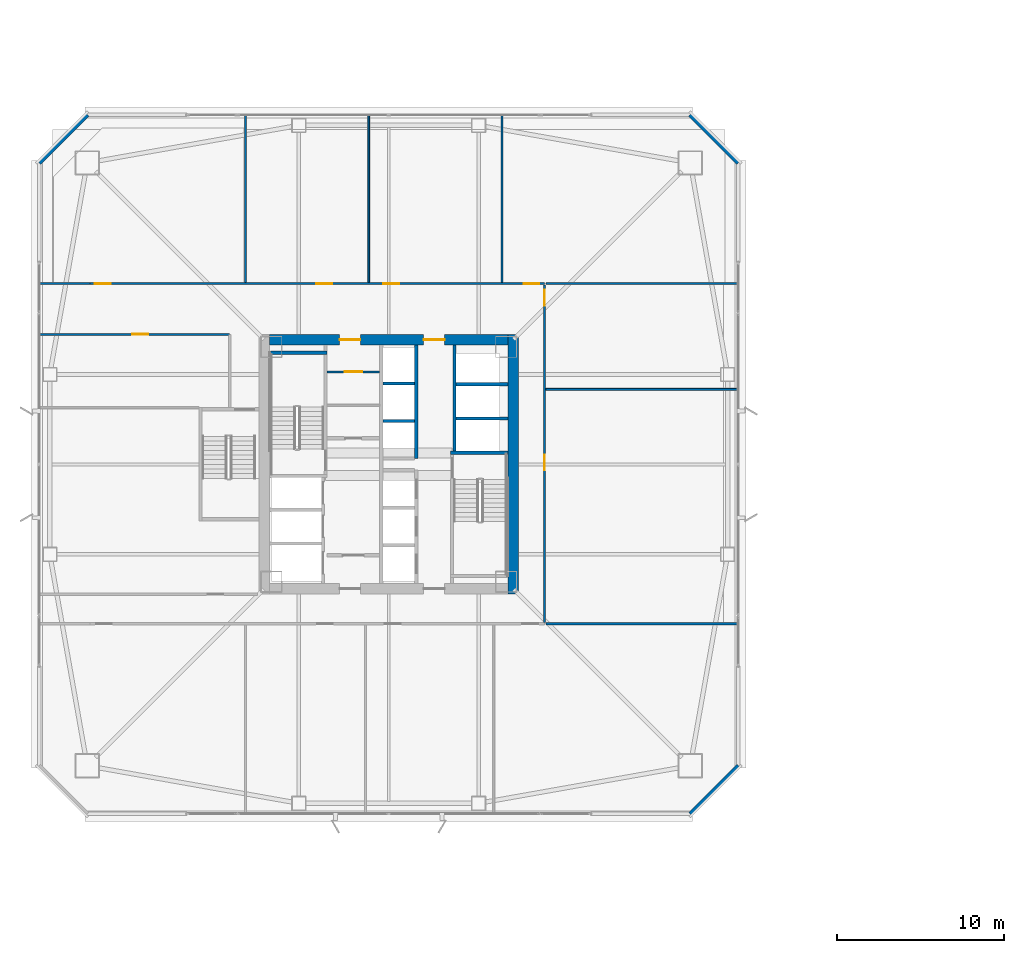
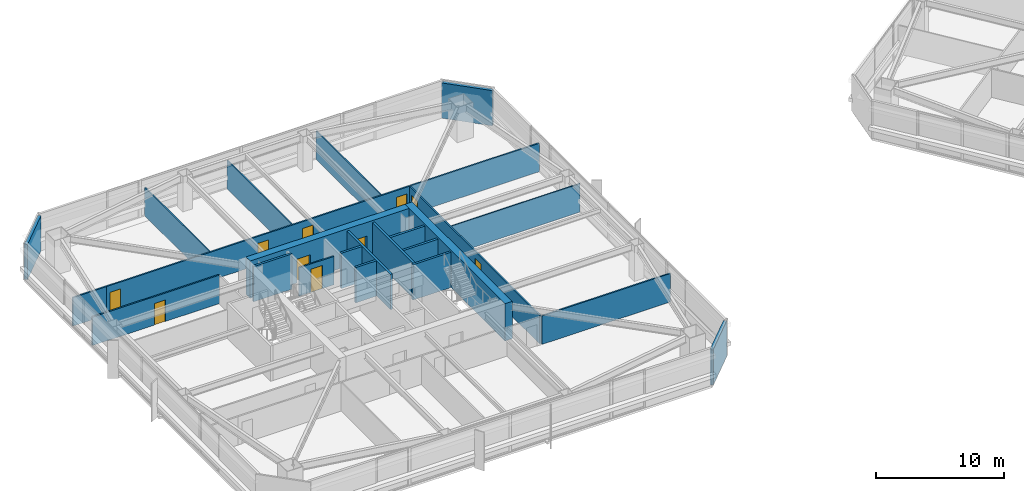
# One storey, part 37 of 49: 24 walls, 10 doors, 10 openings.
"""IFC4 building model written with IfcOpenShell, lengths in metres."""

from ifc_helpers import new_model, si_unit, direction, frame, frame_2d, origin, place, context, subcontext, project, spatial, rectangle, extrude, material, layer, layer_set, type_object, element, fill, save


model = new_model("IFC4")

# Units and contexts
model_context = context("Model", 3, precision=1e-05, world=origin(), true_north=direction((0.0, 1.0)))
body_context = subcontext(model_context, "Body", "Model", "MODEL_VIEW")
ifc_project = project(units=[si_unit("LENGTHUNIT", "METRE"), si_unit("AREAUNIT", "SQUARE_METRE"), si_unit("VOLUMEUNIT", "CUBIC_METRE"), si_unit("PLANEANGLEUNIT", "RADIAN"), si_unit("MASSUNIT", "GRAM", prefix="KILO")], contexts=[model_context])

# Site, building, storey
site_placement = place(None, origin())
site = spatial("IfcSite", under=ifc_project, at=site_placement, CompositionType="ELEMENT")
building_placement = place(site_placement, origin())
building = spatial("IfcBuilding", under=site, at=building_placement, Name="Tashvorn Skyway Center", CompositionType="ELEMENT")
storey_placement = place(building_placement, frame((0.0, 0.0, 70.75)))
storey = spatial("IfcBuildingStorey", under=building, at=storey_placement, Name="L18", CompositionType="ELEMENT", Elevation=70.75)

# Wall
ifc_material_1 = material(Name="Concrete C60/75", Category="concrete")
ifc_layer_1 = layer(ifc_material_1, 0.64990234375)
ifc_layer_set_1 = layer_set([ifc_layer_1], Name="Concrete C60/75")
wall_type_1 = type_object("IfcWallType", Name="WALL-CORE-650", PredefinedType="SHEAR", material=ifc_layer_set_1)
wall_1_placement = place(storey_placement, frame((49.47509765625, 39.800048828125, 0.0), z_axis=(0.0, 0.0, 1.0), x_axis=(0.0, -1.0, 0.0)))
element("IfcWall", 1, at=wall_1_placement, inside=storey, type_object=wall_type_1, Name="Tower 1 L18 East Core Shear Wall", PredefinedType="SHEAR", context=body_context, shape_type="SweptSolid", body=[
    extrude(rectangle(XDim=15.60009765625, YDim=0.64990234375, at=frame_2d((7.800048828125, 0.0))), origin(), (0.0, 0.0, 1.0), 3.550048828125),
])

# Wall, openings, doors
wall_2_placement = place(storey_placement, frame((34.85009765625, 39.47509765625, 0.0), z_axis=(0.0, 0.0, 1.0), x_axis=(1.0, 0.0, 0.0)))
wall_2 = element("IfcWall", 2, at=wall_2_placement, inside=storey, type_object=wall_type_1, Name="Tower 1 L18 North Core Shear Wall", PredefinedType="SHEAR", context=body_context, shape_type="SweptSolid", body=[
    extrude(rectangle(XDim=14.2998046875, YDim=0.64990234375, at=frame_2d((7.14990234375, 0.0))), origin(), (0.0, 0.0, 1.0), 3.550048828125),
])
opening_1_placement = place(wall_2_placement, frame((4.199951171875, 0.0, 0.0)))
opening_1 = element("IfcOpeningElement", 3, at=opening_1_placement, cuts=wall_2, Name="Opening D-FFL-1250", PredefinedType="OPENING", context=body_context, shape_type="SweptSolid", body=[
    extrude(rectangle(XDim=1.25, YDim=2.25, at=frame_2d((0.625, 1.125))), frame((0.0, 0.3349609375, 0.0), z_axis=(0.0, -1.0, 0.0), x_axis=(1.0, 0.0, 0.0)), (0.0, 0.0, 1.0), 0.669921875),
])
opening_2_placement = place(wall_2_placement, frame((9.25, 0.0, 0.0)))
opening_2 = element("IfcOpeningElement", 4, at=opening_2_placement, cuts=wall_2, Name="Opening D-FFL-1250", PredefinedType="OPENING", context=body_context, shape_type="SweptSolid", body=[
    extrude(rectangle(XDim=1.25, YDim=2.25, at=frame_2d((0.625, 1.125))), frame((0.0, 0.3349609375, 0.0), z_axis=(0.0, -1.0, 0.0), x_axis=(1.0, 0.0, 0.0)), (0.0, 0.0, 1.0), 0.669921875),
])
ifc_material_2 = material(Name="Hollow galvanized steel fire door assembly", Category="steel")
door_type_1 = type_object("IfcDoorType", Name="DOOR-FFL-1250", OperationType="NOTDEFINED", PredefinedType="DOOR", material=ifc_material_2)
door_1_placement = place(opening_1_placement, origin())
door_1 = element("IfcDoor", 5, at=door_1_placement, inside=storey, type_object=door_type_1, Name="Tower 1 L18 Core North Service Lobby Door", OperationType="SINGLE_SWING_LEFT", OverallHeight=2.25, OverallWidth=1.25, PredefinedType="DOOR", context=body_context, shape_type="SweptSolid", body=[
    extrude(rectangle(XDim=1.25, YDim=2.25, at=frame_2d((0.625, 1.125))), frame((0.0, 0.02490234375, 0.0), z_axis=(0.0, -1.0, 0.0), x_axis=(1.0, 0.0, 0.0)), (0.0, 0.0, 1.0), 0.050048828125),
])
fill(opening_1, door_1)
door_2_placement = place(opening_2_placement, origin())
door_2 = element("IfcDoor", 6, at=door_2_placement, inside=storey, type_object=door_type_1, Name="Tower 1 L18 Core North Lift Lobby Door", OperationType="SINGLE_SWING_RIGHT", OverallHeight=2.25, OverallWidth=1.25, PredefinedType="DOOR", context=body_context, shape_type="SweptSolid", body=[
    extrude(rectangle(XDim=1.25, YDim=2.25, at=frame_2d((0.625, 1.125))), frame((0.0, 0.02490234375, 0.0), z_axis=(0.0, -1.0, 0.0), x_axis=(1.0, 0.0, 0.0)), (0.0, 0.0, 1.0), 0.050048828125),
])
fill(opening_2, door_2)

# Walls
ifc_material_3 = material(Name="Precast concrete C40/50", Category="concrete")
ifc_layer_2 = layer(ifc_material_3, 0.280029296875)
ifc_layer_set_2 = layer_set([ifc_layer_2], Name="Precast concrete C40/50")
wall_type_2 = type_object("IfcWallType", Name="WALL-EXT-280", PredefinedType="SOLIDWALL", material=ifc_layer_set_2)
for number, where, z_axis, x_axis, name in (
    (7, (21.0, 50.10009765625, 0.0), (0.0, 0.0, 1.0), (0.707106781187, 0.707106781187, 0.0), "Tower 1 L18 NW Precast Chamfer Wall"),
    (8, (60.10009765625, 53.0, 0.0), (0.0, 0.0, 1.0), (0.707106781187, -0.707106781187, 0.0), "Tower 1 L18 NE Precast Chamfer Wall"),
    (9, (63.0, 13.89990234375, 0.0), (0.0, 0.0, 1.0), (-0.707106781187, -0.707106781187, 0.0), "Tower 1 L18 SE Precast Chamfer Wall"),
):
    element("IfcWall", number, at=place(storey_placement, frame(where, z_axis=z_axis, x_axis=x_axis)), inside=storey, type_object=wall_type_2, Name=name, PredefinedType="SOLIDWALL", context=body_context, shape_type="SweptSolid", body=[
        extrude(rectangle(XDim=4.10107421875, YDim=0.280029296875, at=frame_2d((2.050537109375, 0.0))), origin(), (0.0, 0.0, 1.0), 3.35009765625),
    ])
ifc_material_4 = material(Name="Gypsum board on cold-formed steel stud framing", Category="steel")
ifc_layer_3 = layer(ifc_material_4, 0.110107421875)
ifc_layer_set_3 = layer_set([ifc_layer_3], Name="Gypsum board on cold-formed steel stud framing")
wall_type_3 = type_object("IfcWallType", Name="WALL-PART-110", PredefinedType="PARTITIONING", material=ifc_layer_set_3)
for number, where, z_axis, x_axis, name in (
    (10, (33.39990234375, 42.929931640625, 0.0), (0.0, 0.0, 1.0), (0.0, 1.0, 0.0), "Tower 1 L18 North Suite Partition 1"),
    (11, (40.800048828125, 42.929931640625, 0.0), (0.0, 0.0, 1.0), (0.0, 1.0, 0.0), "Tower 1 L18 North Suite Partition 2"),
    (12, (48.800048828125, 42.929931640625, 0.0), (0.0, 0.0, 1.0), (0.0, 1.0, 0.0), "Tower 1 L18 North Suite Partition 3"),
):
    element("IfcWall", number, at=place(storey_placement, frame(where, z_axis=z_axis, x_axis=x_axis)), inside=storey, type_object=wall_type_3, Name=name, PredefinedType="PARTITIONING", context=body_context, shape_type="SweptSolid", body=[
        extrude(rectangle(XDim=10.050048828125, YDim=0.110107421875, at=frame_2d((5.02490234375, 0.0))), origin(), (0.0, 0.0, 1.0), 2.702880859375),
    ])
wall_3_placement = place(storey_placement, frame((51.429931640625, 36.5, 0.0), z_axis=(0.0, 0.0, 1.0), x_axis=(1.0, 0.0, 0.0)))
element("IfcWall", 13, at=wall_3_placement, inside=storey, type_object=wall_type_3, Name="Tower 1 L18 East Suite Partition 1", PredefinedType="PARTITIONING", context=body_context, shape_type="SweptSolid", body=[
    extrude(rectangle(XDim=11.550048828125, YDim=0.110107421875, at=frame_2d((5.77490234375, 0.0))), origin(), (0.0, 0.0, 1.0), 2.702880859375),
])

# Wall, openings, doors
ifc_layer_4 = layer(ifc_material_4, 0.135009765625)
ifc_layer_set_4 = layer_set([ifc_layer_4], Name="Gypsum board on cold-formed steel stud framing")
wall_type_4 = type_object("IfcWallType", Name="WALL-PART-135", PredefinedType="PARTITIONING", material=ifc_layer_set_4)
wall_4_placement = place(storey_placement, frame((24.050048828125, 42.85009765625, 0.0), z_axis=(0.0, 0.0, 1.0), x_axis=(1.0, 0.0, 0.0)))
wall_4 = element("IfcWall", 14, at=wall_4_placement, inside=storey, type_object=wall_type_4, Name="Tower 1 L18 North Suite Wall", PredefinedType="PARTITIONING", context=body_context, shape_type="SweptSolid", body=[
    extrude(rectangle(XDim=27.300048828125, YDim=0.135009765625, at=frame_2d((13.64990234375, 0.0))), origin(), (0.0, 0.0, 1.0), 2.702880859375),
])
opening_3_placement = place(wall_4_placement, frame((0.300048828125, 0.0, 0.0)))
opening_3 = element("IfcOpeningElement", 15, at=opening_3_placement, cuts=wall_4, Name="Opening D-INT-950", PredefinedType="OPENING", context=body_context, shape_type="SweptSolid", body=[
    extrude(rectangle(XDim=0.949951171875, YDim=2.050048828125, at=frame_2d((0.47509765625, 1.02490234375))), frame((0.0, 0.077392578125, 0.0), z_axis=(0.0, -1.0, 0.0), x_axis=(1.0, 0.0, 0.0)), (0.0, 0.0, 1.0), 0.155029296875),
])
opening_4_placement = place(wall_4_placement, frame((13.609619140625, 0.0, 0.0)))
opening_4 = element("IfcOpeningElement", 16, at=opening_4_placement, cuts=wall_4, Name="Opening D-INT-950", PredefinedType="OPENING", context=body_context, shape_type="SweptSolid", body=[
    extrude(rectangle(XDim=0.949951171875, YDim=2.050048828125, at=frame_2d((0.47509765625, 1.02490234375))), frame((0.0, 0.077392578125, 0.0), z_axis=(0.0, -1.0, 0.0), x_axis=(1.0, 0.0, 0.0)), (0.0, 0.0, 1.0), 0.155029296875),
])
opening_5_placement = place(wall_4_placement, frame((17.63330078125, 0.0, 0.0)))
opening_5 = element("IfcOpeningElement", 17, at=opening_5_placement, cuts=wall_4, Name="Opening D-INT-950", PredefinedType="OPENING", context=body_context, shape_type="SweptSolid", body=[
    extrude(rectangle(XDim=0.949951171875, YDim=2.050048828125, at=frame_2d((0.47509765625, 1.02490234375))), frame((0.0, 0.077392578125, 0.0), z_axis=(0.0, -1.0, 0.0), x_axis=(1.0, 0.0, 0.0)), (0.0, 0.0, 1.0), 0.155029296875),
])
opening_6_placement = place(wall_4_placement, frame((26.050048828125, 0.0, 0.0)))
opening_6 = element("IfcOpeningElement", 18, at=opening_6_placement, cuts=wall_4, Name="Opening D-INT-950", PredefinedType="OPENING", context=body_context, shape_type="SweptSolid", body=[
    extrude(rectangle(XDim=0.949951171875, YDim=2.050048828125, at=frame_2d((0.47509765625, 1.02490234375))), frame((0.0, 0.077392578125, 0.0), z_axis=(0.0, -1.0, 0.0), x_axis=(1.0, 0.0, 0.0)), (0.0, 0.0, 1.0), 0.155029296875),
])
ifc_material_5 = material(Name="Solid-core architectural oak veneer door")
door_type_2 = type_object("IfcDoorType", Name="DOOR-INT-950", OperationType="NOTDEFINED", PredefinedType="DOOR", material=ifc_material_5)
door_3_placement = place(opening_3_placement, origin())
door_3 = element("IfcDoor", 19, at=door_3_placement, inside=storey, type_object=door_type_2, Name="Tower 1 L18 Conference Room Door", OperationType="SINGLE_SWING_LEFT", OverallHeight=2.050048828125, OverallWidth=0.949951171875, PredefinedType="DOOR", context=body_context, shape_type="SweptSolid", body=[
    extrude(rectangle(XDim=0.949951171875, YDim=2.050048828125, at=frame_2d((0.47509765625, 1.02490234375))), frame((0.0, 0.02490234375, 0.0), z_axis=(0.0, -1.0, 0.0), x_axis=(1.0, 0.0, 0.0)), (0.0, 0.0, 1.0), 0.050048828125),
])
fill(opening_3, door_3)
door_4_placement = place(opening_4_placement, origin())
door_4 = element("IfcDoor", 20, at=door_4_placement, inside=storey, type_object=door_type_2, Name="Tower 1 L18 Conference Room Door", OperationType="SINGLE_SWING_RIGHT", OverallHeight=2.050048828125, OverallWidth=0.949951171875, PredefinedType="DOOR", context=body_context, shape_type="SweptSolid", body=[
    extrude(rectangle(XDim=0.949951171875, YDim=2.050048828125, at=frame_2d((0.47509765625, 1.02490234375))), frame((0.0, 0.02490234375, 0.0), z_axis=(0.0, -1.0, 0.0), x_axis=(1.0, 0.0, 0.0)), (0.0, 0.0, 1.0), 0.050048828125),
])
fill(opening_4, door_4)
door_5_placement = place(opening_5_placement, origin())
door_5 = element("IfcDoor", 21, at=door_5_placement, inside=storey, type_object=door_type_2, Name="Tower 1 L18 Boardroom Door", OperationType="SINGLE_SWING_LEFT", OverallHeight=2.050048828125, OverallWidth=0.949951171875, PredefinedType="DOOR", context=body_context, shape_type="SweptSolid", body=[
    extrude(rectangle(XDim=0.949951171875, YDim=2.050048828125, at=frame_2d((0.47509765625, 1.02490234375))), frame((0.0, 0.02490234375, 0.0), z_axis=(0.0, -1.0, 0.0), x_axis=(1.0, 0.0, 0.0)), (0.0, 0.0, 1.0), 0.050048828125),
])
fill(opening_5, door_5)
door_6_placement = place(opening_6_placement, origin())
door_6 = element("IfcDoor", 22, at=door_6_placement, inside=storey, type_object=door_type_2, Name="Tower 1 L18 Gallery Showroom Door", OperationType="SINGLE_SWING_RIGHT", OverallHeight=2.050048828125, OverallWidth=0.949951171875, PredefinedType="DOOR", context=body_context, shape_type="SweptSolid", body=[
    extrude(rectangle(XDim=0.949951171875, YDim=2.050048828125, at=frame_2d((0.47509765625, 1.02490234375))), frame((0.0, 0.02490234375, 0.0), z_axis=(0.0, -1.0, 0.0), x_axis=(1.0, 0.0, 0.0)), (0.0, 0.0, 1.0), 0.050048828125),
])
fill(opening_6, door_6)

# Wall
wall_5_placement = place(storey_placement, frame((21.02001953125, 42.85009765625, 0.0), z_axis=(0.0, 0.0, 1.0), x_axis=(1.0, 0.0, 0.0)))
element("IfcWall", 23, at=wall_5_placement, inside=storey, type_object=wall_type_4, Name="Tower 1 L18 North-West Suite South Wall", PredefinedType="PARTITIONING", context=body_context, shape_type="SweptSolid", body=[
    extrude(rectangle(XDim=3.030029296875, YDim=0.135009765625, at=frame_2d((1.51513671875, 0.0))), origin(), (0.0, 0.0, 1.0), 2.702880859375),
])

# Wall, openings, doors
wall_6_placement = place(storey_placement, frame((51.35009765625, 42.77001953125, 0.0), z_axis=(0.0, 0.0, 1.0), x_axis=(0.0, -1.0, 0.0)))
wall_6 = element("IfcWall", 24, at=wall_6_placement, inside=storey, type_object=wall_type_4, Name="Tower 1 L18 East Inner Suite Wall", PredefinedType="PARTITIONING", context=body_context, shape_type="SweptSolid", body=[
    extrude(rectangle(XDim=20.260009765625, YDim=0.135009765625, at=frame_2d((10.1298828125, 0.0))), origin(), (0.0, 0.0, 1.0), 2.702880859375),
])
opening_7_placement = place(wall_6_placement, frame((10.181396484375, 0.0, 0.0)))
opening_7 = element("IfcOpeningElement", 25, at=opening_7_placement, cuts=wall_6, Name="Opening D-INT-950", PredefinedType="OPENING", context=body_context, shape_type="SweptSolid", body=[
    extrude(rectangle(XDim=0.949951171875, YDim=2.050048828125, at=frame_2d((0.47509765625, 1.02490234375))), frame((0.0, 0.077392578125, 0.0), z_axis=(0.0, -1.0, 0.0), x_axis=(1.0, 0.0, 0.0)), (0.0, 0.0, 1.0), 0.155029296875),
])
opening_8_placement = place(wall_6_placement, frame((0.300048828125, 0.0, 0.0)))
opening_8 = element("IfcOpeningElement", 26, at=opening_8_placement, cuts=wall_6, Name="Opening D-INT-950", PredefinedType="OPENING", context=body_context, shape_type="SweptSolid", body=[
    extrude(rectangle(XDim=0.949951171875, YDim=2.050048828125, at=frame_2d((0.47509765625, 1.02490234375))), frame((0.0, 0.077392578125, 0.0), z_axis=(0.0, -1.0, 0.0), x_axis=(1.0, 0.0, 0.0)), (0.0, 0.0, 1.0), 0.155029296875),
])
door_7_placement = place(opening_7_placement, origin())
door_7 = element("IfcDoor", 27, at=door_7_placement, inside=storey, type_object=door_type_2, Name="Tower 1 L18 Gallery Showroom Door", OperationType="SINGLE_SWING_LEFT", OverallHeight=2.050048828125, OverallWidth=0.949951171875, PredefinedType="DOOR", context=body_context, shape_type="SweptSolid", body=[
    extrude(rectangle(XDim=0.949951171875, YDim=2.050048828125, at=frame_2d((0.47509765625, 1.02490234375))), frame((0.0, 0.02490234375, 0.0), z_axis=(0.0, -1.0, 0.0), x_axis=(1.0, 0.0, 0.0)), (0.0, 0.0, 1.0), 0.050048828125),
])
fill(opening_7, door_7)
door_8_placement = place(opening_8_placement, origin())
door_8 = element("IfcDoor", 28, at=door_8_placement, inside=storey, type_object=door_type_2, Name="Tower 1 L18 Public Restroom Door", OperationType="SINGLE_SWING_RIGHT", OverallHeight=2.050048828125, OverallWidth=0.949951171875, PredefinedType="DOOR", context=body_context, shape_type="SweptSolid", body=[
    extrude(rectangle(XDim=0.949951171875, YDim=2.050048828125, at=frame_2d((0.47509765625, 1.02490234375))), frame((0.0, 0.02490234375, 0.0), z_axis=(0.0, -1.0, 0.0), x_axis=(1.0, 0.0, 0.0)), (0.0, 0.0, 1.0), 0.050048828125),
])
fill(opening_8, door_8)

# Walls
for number, where, z_axis, x_axis, name in (
    (29, (62.97998046875, 42.85009765625, 0.0), (0.0, 0.0, 1.0), (-1.0, 0.0, 0.0), "Tower 1 L18 East Suite North Wall"),
    (30, (51.429931640625, 22.429931640625, 0.0), (0.0, 0.0, 1.0), (1.0, 0.0, 0.0), "Tower 1 L18 East Suite South Wall"),
):
    element("IfcWall", number, at=place(storey_placement, frame(where, z_axis=z_axis, x_axis=x_axis)), inside=storey, type_object=wall_type_4, Name=name, PredefinedType="PARTITIONING", context=body_context, shape_type="SweptSolid", body=[
        extrude(rectangle(XDim=11.550048828125, YDim=0.135009765625, at=frame_2d((5.77490234375, 0.0))), origin(), (0.0, 0.0, 1.0), 2.702880859375),
    ])

# Wall, opening, door
wall_7_placement = place(storey_placement, frame((32.449951171875, 39.800048828125, 0.0), z_axis=(0.0, 0.0, 1.0), x_axis=(-1.0, 0.0, 0.0)))
wall_7 = element("IfcWall", 31, at=wall_7_placement, inside=storey, type_object=wall_type_4, Name="Tower 1 L18 West Suite North Wall", PredefinedType="PARTITIONING", context=body_context, shape_type="SweptSolid", body=[
    extrude(rectangle(XDim=11.429931640625, YDim=0.135009765625, at=frame_2d((5.71484375, 0.0))), origin(), (0.0, 0.0, 1.0), 2.702880859375),
])
opening_9_placement = place(wall_7_placement, frame((4.889892578125, 0.0, 0.0)))
opening_9 = element("IfcOpeningElement", 32, at=opening_9_placement, cuts=wall_7, Name="Opening D-INT-950", PredefinedType="OPENING", context=body_context, shape_type="SweptSolid", body=[
    extrude(rectangle(XDim=0.949951171875, YDim=2.050048828125, at=frame_2d((0.47509765625, 1.02490234375))), frame((0.0, 0.077392578125, 0.0), z_axis=(0.0, -1.0, 0.0), x_axis=(1.0, 0.0, 0.0)), (0.0, 0.0, 1.0), 0.155029296875),
])
door_9_placement = place(opening_9_placement, origin())
door_9 = element("IfcDoor", 33, at=door_9_placement, inside=storey, type_object=door_type_2, Name="Tower 1 L18 Catering Pantry Door", OperationType="SINGLE_SWING_LEFT", OverallHeight=2.050048828125, OverallWidth=0.949951171875, PredefinedType="DOOR", context=body_context, shape_type="SweptSolid", body=[
    extrude(rectangle(XDim=0.949951171875, YDim=2.050048828125, at=frame_2d((0.47509765625, 1.02490234375))), frame((0.0, 0.02490234375, 0.0), z_axis=(0.0, -1.0, 0.0), x_axis=(1.0, 0.0, 0.0)), (0.0, 0.0, 1.0), 0.050048828125),
])
fill(opening_9, door_9)

ifc_layer_5 = layer(ifc_material_4, 0.135009765625)
ifc_layer_set_5 = layer_set([ifc_layer_5], Name="Gypsum board on cold-formed steel stud framing")
wall_type_5 = type_object("IfcWallType", Name="WALL-RATED-135", PredefinedType="PARTITIONING", material=ifc_layer_set_5)
wall_8_placement = place(storey_placement, frame((38.300048828125, 37.550048828125, 0.0), z_axis=(0.0, 0.0, 1.0), x_axis=(1.0, 0.0, 0.0)))
wall_8 = element("IfcWall", 34, at=wall_8_placement, inside=storey, type_object=wall_type_5, Name="Tower 1 L18 Core Service Lobby Wall", PredefinedType="PARTITIONING", context=body_context, shape_type="SweptSolid", body=[
    extrude(rectangle(XDim=3.14990234375, YDim=0.135009765625, at=frame_2d((1.574951171875, 0.0))), origin(), (0.0, 0.0, 1.0), 2.702880859375),
])
opening_10_placement = place(wall_8_placement, frame((1.050048828125, 0.0, 0.0)))
opening_10 = element("IfcOpeningElement", 35, at=opening_10_placement, cuts=wall_8, Name="Opening D-RT-1050", PredefinedType="OPENING", context=body_context, shape_type="SweptSolid", body=[
    extrude(rectangle(XDim=1.050048828125, YDim=2.199951171875, at=frame_2d((0.52490234375, 1.10009765625))), frame((0.0, 0.077392578125, 0.0), z_axis=(0.0, -1.0, 0.0), x_axis=(1.0, 0.0, 0.0)), (0.0, 0.0, 1.0), 0.155029296875),
])
door_type_3 = type_object("IfcDoorType", Name="DOOR-RATED-1050", OperationType="NOTDEFINED", PredefinedType="DOOR", material=ifc_material_2)
door_10_placement = place(opening_10_placement, origin())
door_10 = element("IfcDoor", 36, at=door_10_placement, inside=storey, type_object=door_type_3, Name="Tower 1 L18 Core Accessible WC Door", OperationType="SINGLE_SWING_RIGHT", OverallHeight=2.199951171875, OverallWidth=1.050048828125, PredefinedType="DOOR", context=body_context, shape_type="SweptSolid", body=[
    extrude(rectangle(XDim=1.050048828125, YDim=2.199951171875, at=frame_2d((0.52490234375, 1.10009765625))), frame((0.0, 0.02490234375, 0.0), z_axis=(0.0, -1.0, 0.0), x_axis=(1.0, 0.0, 0.0)), (0.0, 0.0, 1.0), 0.050048828125),
])
fill(opening_10, door_10)

# Walls
ifc_material_6 = material(Name="Concrete C40/50", Category="concrete")
ifc_layer_6 = layer(ifc_material_6, 0.199951171875)
ifc_layer_set_6 = layer_set([ifc_layer_6], Name="Concrete C40/50")
wall_type_6 = type_object("IfcWallType", Name="WALL-SHAFT-200", PredefinedType="SOLIDWALL", material=ifc_layer_set_6)
for number, where, z_axis, x_axis, name in (
    (37, (46.050048828125, 34.75, 0.0), (0.0, 0.0, 1.0), (1.0, 0.0, 0.0), "Tower 1 L18 High-Rise Shaft Divider"),
    (38, (46.050048828125, 36.800048828125, 0.0), (0.0, 0.0, 1.0), (1.0, 0.0, 0.0), "Tower 1 L18 High-Rise Shaft Divider"),
):
    element("IfcWall", number, at=place(storey_placement, frame(where, z_axis=z_axis, x_axis=x_axis)), inside=storey, type_object=wall_type_6, Name=name, PredefinedType="SOLIDWALL", context=body_context, shape_type="SweptSolid", body=[
        extrude(rectangle(XDim=3.099853515625, YDim=0.199951171875, at=frame_2d((1.5498046875, 0.0))), origin(), (0.0, 0.0, 1.0), 3.35009765625),
    ])
wall_9_placement = place(storey_placement, frame((43.64990234375, 32.35009765625, 0.0), z_axis=(0.0, 0.0, 1.0), x_axis=(0.0, 1.0, 0.0)))
element("IfcWall", 39, at=wall_9_placement, inside=storey, type_object=wall_type_6, Name="Tower 1 L18 Mid-Rise Core Wall", PredefinedType="SOLIDWALL", context=body_context, shape_type="SweptSolid", body=[
    extrude(rectangle(XDim=6.7998046875, YDim=0.199951171875, at=frame_2d((3.39990234375, 0.0))), origin(), (0.0, 0.0, 1.0), 3.35009765625),
])
for number, where, z_axis, x_axis, name in (
    (40, (41.669921875, 34.60009765625, 0.0), (0.0, 0.0, 1.0), (1.0, 0.0, 0.0), "Tower 1 L18 Mid-Rise Shaft Divider"),
    (41, (41.669921875, 36.85009765625, 0.0), (0.0, 0.0, 1.0), (1.0, 0.0, 0.0), "Tower 1 L18 Mid-Rise Shaft Divider"),
):
    element("IfcWall", number, at=place(storey_placement, frame(where, z_axis=z_axis, x_axis=x_axis)), inside=storey, type_object=wall_type_6, Name=name, PredefinedType="SOLIDWALL", context=body_context, shape_type="SweptSolid", body=[
        extrude(rectangle(XDim=1.880126953125, YDim=0.199951171875, at=frame_2d((0.93994140625, 0.0))), origin(), (0.0, 0.0, 1.0), 3.35009765625),
    ])
ifc_layer_7 = layer(ifc_material_6, 0.199951171875)
ifc_layer_set_7 = layer_set([ifc_layer_7], Name="Concrete C40/50")
wall_type_7 = type_object("IfcWallType", Name="WALL-STSHF-200", PredefinedType="SHEAR", material=ifc_layer_set_7)
for number, where, z_axis, x_axis, name in (
    (42, (34.85009765625, 38.699951171875, 0.0), (0.0, 0.0, 1.0), (1.0, 0.0, 0.0), "Tower 1 L18 Stair 1 North Wall"),
    (43, (45.699951171875, 32.699951171875, 0.0), (0.0, 0.0, 1.0), (1.0, 0.0, 0.0), "Tower 1 L18 Stair 2 North Wall"),
):
    element("IfcWall", number, at=place(storey_placement, frame(where, z_axis=z_axis, x_axis=x_axis)), inside=storey, type_object=wall_type_7, Name=name, PredefinedType="SHEAR", context=body_context, shape_type="SweptSolid", body=[
        extrude(rectangle(XDim=3.449951171875, YDim=0.199951171875, at=frame_2d((1.72509765625, 0.0))), origin(), (0.0, 0.0, 1.0), 3.35009765625),
    ])
wall_10_placement = place(storey_placement, frame((45.949951171875, 39.14990234375, 0.0), z_axis=(0.0, 0.0, 1.0), x_axis=(0.0, -1.0, 0.0)))
element("IfcWall", 44, at=wall_10_placement, inside=storey, type_object=wall_type_7, Name="Tower 1 L18 High-Rise Lift Shaft Front Wall", PredefinedType="SHEAR", context=body_context, shape_type="SweptSolid", body=[
    extrude(rectangle(XDim=6.349853515625, YDim=0.199951171875, at=frame_2d((3.1748046875, 0.0))), origin(), (0.0, 0.0, 1.0), 3.35009765625),
])

save(model, "model.ifc")
